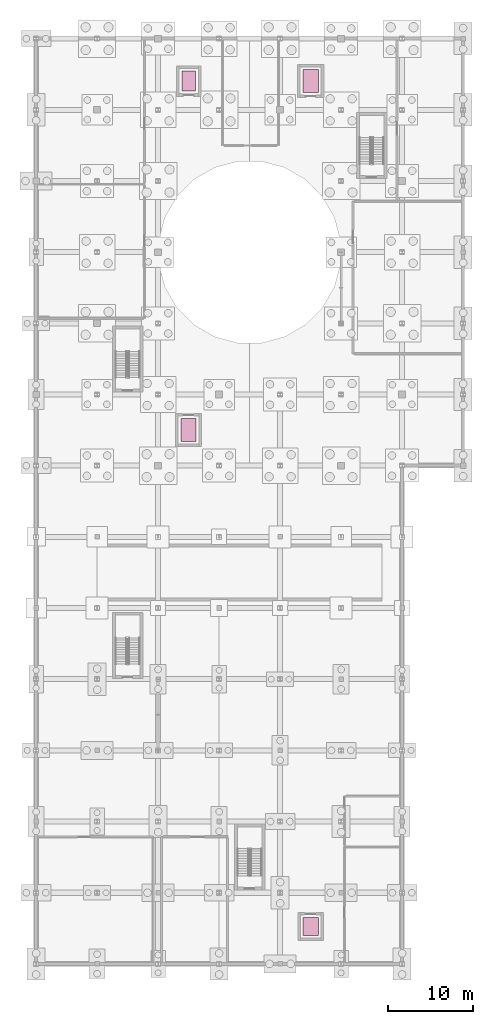
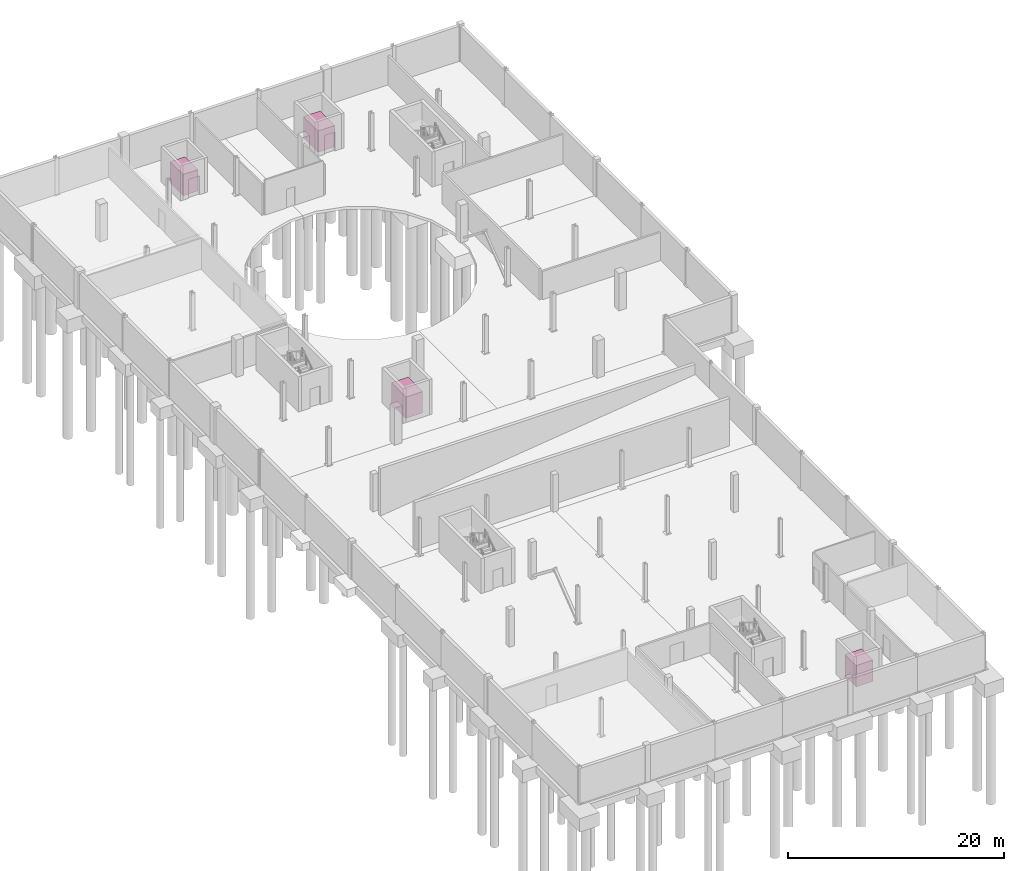
# One storey, part 32 of 32: 4 transport elements.
"""IFC4 building model written with IfcOpenShell, lengths in metres."""

from ifc_helpers import new_model, si_unit, direction, frame, origin, origin_2d, place, context, subcontext, project, spatial, rectangle, extrude, material, type_object, element, save


model = new_model("IFC4")

# Units and contexts
model_context = context("Model", 3, precision=1e-05, world=origin(), true_north=direction((0.0, 1.0)))
body_context = subcontext(model_context, "Body", "Model", "MODEL_VIEW")
ifc_project = project(units=[si_unit("LENGTHUNIT", "METRE"), si_unit("AREAUNIT", "SQUARE_METRE"), si_unit("VOLUMEUNIT", "CUBIC_METRE"), si_unit("PLANEANGLEUNIT", "RADIAN"), si_unit("MASSUNIT", "GRAM", prefix="KILO")], contexts=[model_context])

# Site, building, storey
site_placement = place(None, origin())
site = spatial("IfcSite", under=ifc_project, at=site_placement, CompositionType="ELEMENT")
building_placement = place(site_placement, origin())
building = spatial("IfcBuilding", under=site, at=building_placement, Name="Qelthora Terrace Specialist Clinic", CompositionType="ELEMENT")
storey_placement = place(building_placement, frame((0.0, 0.0, -4.199951171875)))
storey = spatial("IfcBuildingStorey", under=building, at=storey_placement, Name="B1", CompositionType="ELEMENT", Elevation=-4.199951171875)

# Transport elements
ifc_material = material(Name="Steel S355", Category="steel")
transport_element_type_1 = type_object("IfcTransportElementType", Name="LFT-PASSENGER-1600", PredefinedType="ELEVATOR", material=ifc_material)
for number, where, z_axis, x_axis, name in (
    (1, (18.0, 63.0, 0.0), (0.0, 0.0, 1.0), (1.0, 0.0, 0.0), "Clinical Stretcher Lift SL-01"),
    (2, (32.39990234375, 104.199951171875, 0.0), (0.0, 0.0, 1.0), (1.0, 0.0, 0.0), "Clinical Stretcher Lift SL-02"),
):
    element("IfcTransportElement", number, at=place(storey_placement, frame(where, z_axis=z_axis, x_axis=x_axis)), inside=storey, type_object=transport_element_type_1, Name=name, PredefinedType="ELEVATOR", context=body_context, shape_type="SweptSolid", body=[
        extrude(rectangle(XDim=1.800048828125, YDim=2.699951171875, at=origin_2d()), origin(), (0.0, 0.0, 1.0), 2.39990234375),
    ])
transport_element_1_placement = place(storey_placement, frame((32.39990234375, 4.39990234375, 0.0), z_axis=(0.0, 0.0, 1.0), x_axis=(1.0, 0.0, 0.0)))
element("IfcTransportElement", 3, at=transport_element_1_placement, inside=storey, type_object=transport_element_type_1, Name="Imaging and Garden Passenger Lift PL-03", PredefinedType="ELEVATOR", context=body_context, shape_type="SweptSolid", body=[
    extrude(rectangle(XDim=1.800048828125, YDim=2.10009765625, at=origin_2d()), origin(), (0.0, 0.0, 1.0), 2.39990234375),
])
transport_element_type_2 = type_object("IfcTransportElementType", Name="LFT-SERVICE-2000", PredefinedType="ELEVATOR", material=ifc_material)
transport_element_2_placement = place(storey_placement, frame((18.0, 104.199951171875, 0.0), z_axis=(0.0, 0.0, 1.0), x_axis=(1.0, 0.0, 0.0)))
element("IfcTransportElement", 4, at=transport_element_2_placement, inside=storey, type_object=transport_element_type_2, Name="Clean Supply and Pharmacy Service Lift GL-01", PredefinedType="ELEVATOR", context=body_context, shape_type="SweptSolid", body=[
    extrude(rectangle(XDim=1.60009765625, YDim=2.39990234375, at=origin_2d()), origin(), (0.0, 0.0, 1.0), 2.39990234375),
])

save(model, "model.ifc")
